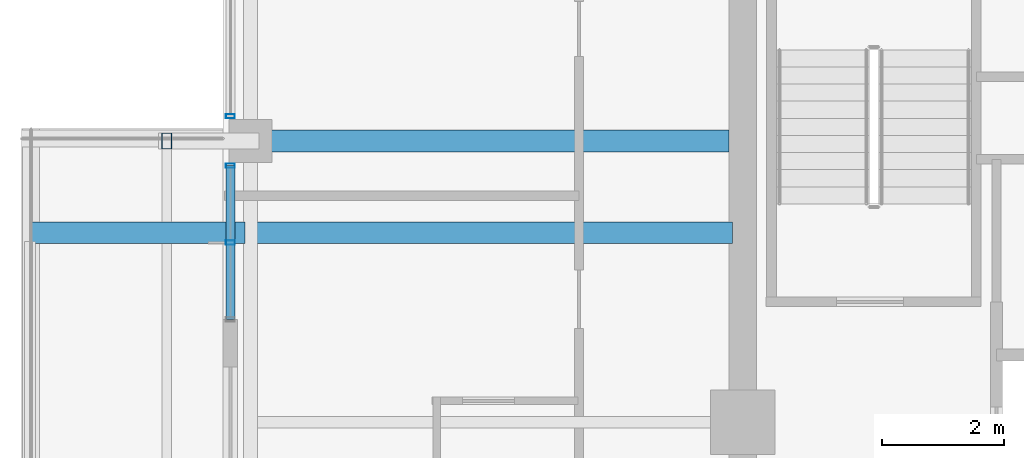
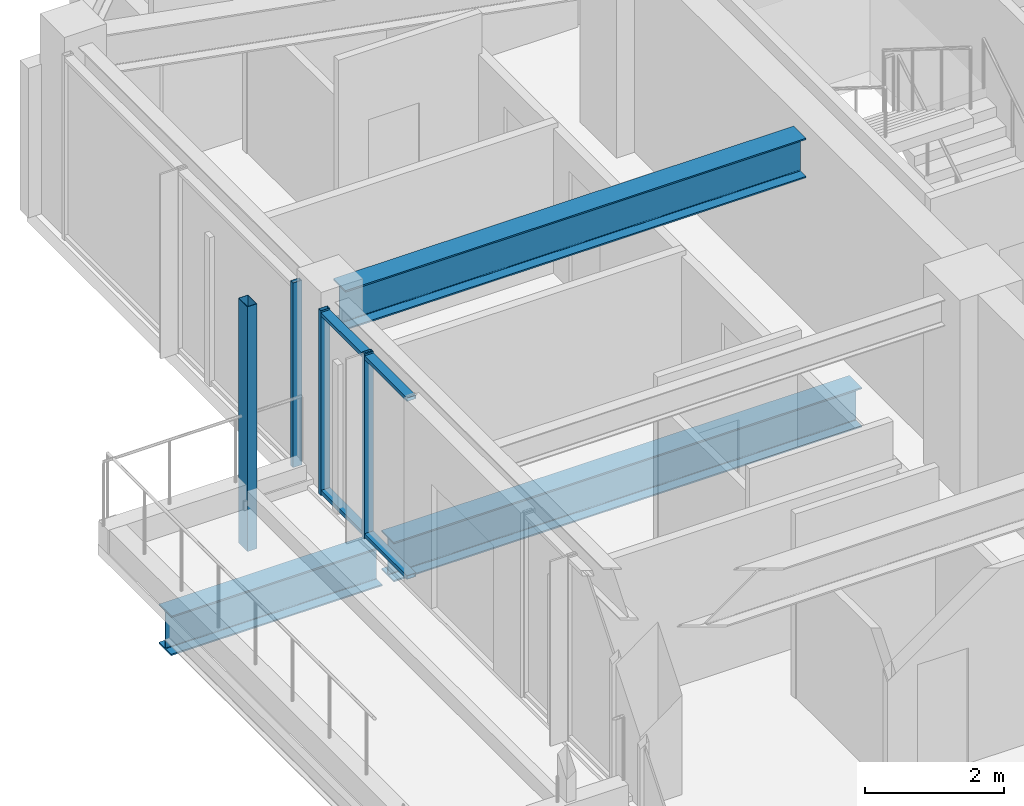
# One storey, part 9 of 34: 6 members, 3 beams, 2 elements without a shape of their own.
"""IFC4 building model written with IfcOpenShell, lengths in metres."""

from ifc_helpers import new_model, si_unit, direction, frame, origin, origin_2d, place, context, subcontext, project, spatial, hollow_rectangle, i_section, extrude, material, material_profile, profile_set, type_object, element, aggregate, save


model = new_model("IFC4")

# Units and contexts
model_context = context("Model", 3, precision=1e-05, world=origin(), true_north=direction((0.0, 1.0)))
body_context = subcontext(model_context, "Body", "Model", "MODEL_VIEW")
ifc_project = project(units=[si_unit("LENGTHUNIT", "METRE"), si_unit("AREAUNIT", "SQUARE_METRE"), si_unit("VOLUMEUNIT", "CUBIC_METRE"), si_unit("PLANEANGLEUNIT", "RADIAN"), si_unit("MASSUNIT", "GRAM", prefix="KILO")], contexts=[model_context])

# Site, building, storey
site_placement = place(None, origin())
site = spatial("IfcSite", under=ifc_project, at=site_placement, CompositionType="ELEMENT")
building_placement = place(site_placement, origin())
building = spatial("IfcBuilding", under=site, at=building_placement, Name="Kolvaren Belvedere", CompositionType="ELEMENT")
storey_placement = place(building_placement, frame((0.0, 0.0, 240.89990234375)))
storey = spatial("IfcBuildingStorey", under=building, at=storey_placement, Name="L70", CompositionType="ELEMENT", Elevation=240.89990234375)

# Beams
ifc_material_1 = material(Name="Structural steel ASTM A992 Grade 50", Category="steel")
ifc_material_profile_1 = material_profile(ifc_material_1, i_section(OverallWidth=0.35498046875, OverallDepth=0.696044921875, WebThickness=0.015380859375, FlangeThickness=0.02490234375, FilletRadius=0.02197265625, at=origin_2d()), Name="W27X146")
ifc_profile_set_1 = profile_set([ifc_material_profile_1], Name="Structural steel ASTM A992 Grade 50")
beam_type_1 = type_object("IfcBeamType", Name="BM-CANT-BAL", PredefinedType="BEAM", material=ifc_profile_set_1)
beam_1_placement = place(storey_placement, frame((-18.044921875, 3.10009765625, -0.597900390625), z_axis=(-1.0, 0.0, 0.0), x_axis=(0.0, -1.0, 0.0)))
element("IfcBeam", 1, at=beam_1_placement, inside=storey, type_object=beam_type_1, Name="L70 Planted Balcony Cantilever SPIRAL-11-W-2", PredefinedType="BEAM", context=body_context, shape_type="SweptSolid", body=[
    extrude(i_section(OverallWidth=0.35498046875, OverallDepth=0.696044921875, WebThickness=0.015380859375, FlangeThickness=0.02490234375, FilletRadius=0.02197265625, at=origin_2d()), origin(), (0.0, 0.0, 1.0), 3.51513671875),
])
ifc_material_2 = material(Name="Structural steel ASTM A992 Grade 50", Category="steel")
ifc_material_profile_2 = material_profile(ifc_material_2, i_section(OverallWidth=0.35498046875, OverallDepth=0.696044921875, WebThickness=0.015380859375, FlangeThickness=0.02490234375, FilletRadius=0.02197265625, at=origin_2d()), Name="W27X146")
ifc_profile_set_2 = profile_set([ifc_material_profile_2], Name="Structural steel ASTM A992 Grade 50")
beam_type_2 = type_object("IfcBeamType", Name="BM-GIRD-W27X146", PredefinedType="BEAM", material=ifc_profile_set_2)
beam_2_placement = place(storey_placement, frame((-10.06494140625, 3.10009765625, -0.597900390625), z_axis=(-1.0, 0.0, 0.0), x_axis=(0.0, -1.0, 0.0)))
element("IfcBeam", 2, at=beam_2_placement, inside=storey, type_object=beam_type_2, Name="L70 Balcony Interior Back-Span Girder SPIRAL-11-W-2", PredefinedType="BEAM", context=body_context, shape_type="SweptSolid", body=[
    extrude(i_section(OverallWidth=0.35498046875, OverallDepth=0.696044921875, WebThickness=0.015380859375, FlangeThickness=0.02490234375, FilletRadius=0.02197265625, at=origin_2d()), origin(), (0.0, 0.0, 1.0), 7.7900390625),
])
beam_3_placement = place(storey_placement, frame((-10.125, 4.60009765625, 2.902099609375), z_axis=(-1.0, 0.0, 0.0), x_axis=(0.0, -1.0, 0.0)))
element("IfcBeam", 3, at=beam_3_placement, inside=storey, type_object=beam_type_2, Name="L70 West Radial Girder P", PredefinedType="BEAM", context=body_context, shape_type="SweptSolid", body=[
    extrude(i_section(OverallWidth=0.35498046875, OverallDepth=0.696044921875, WebThickness=0.015380859375, FlangeThickness=0.02490234375, FilletRadius=0.02197265625, at=origin_2d()), origin(), (0.0, 0.0, 1.0), 7.66748046875),
])

# Curtain wall, members
ifc_material_3 = material(Name="Anodised pale-metal aluminium AA 6063-T6", Category="aluminium")
curtain_wall_type = type_object("IfcCurtainWallType", Name="CW-Z5-HIGH", PredefinedType="NOTDEFINED", material=ifc_material_3)
curtain_wall_1_placement = place(storey_placement, origin())
curtain_wall_1 = element("IfcCurtainWall", 4, at=curtain_wall_1_placement, inside=storey, type_object=curtain_wall_type, Name="L70 Unitised Curtain Wall FCW-L70-W2-B1", PredefinedType="NOTDEFINED")
ifc_material_4 = material(Name="Anodised pale-metal aluminium AA 6063-T6", Category="aluminium")
ifc_material_profile_3 = material_profile(ifc_material_4, hollow_rectangle(XDim=0.070068359375, YDim=0.14990234375, WallThickness=0.004150390625, at=origin_2d()), Name="ALU-MUL-150X70")
ifc_profile_set_3 = profile_set([ifc_material_profile_3], Name="Anodised pale-metal aluminium AA 6063-T6")
member_type_1 = type_object("IfcMemberType", Name="CW-MUL-150", PredefinedType="MULLION", material=ifc_profile_set_3)
member_1_placement = place(storey_placement, frame((-18.280029296875, 2.9375, 0.0), z_axis=(0.0, 0.0, 1.0), x_axis=(0.0, 1.0, 0.0)))
member_1 = element("IfcMember", 5, at=member_1_placement, type_object=member_type_1, Name="FCW-L70-W2-B1 Unitised Mullion 2", PredefinedType="MULLION", context=body_context, shape_type="SweptSolid", body=[
    extrude(hollow_rectangle(XDim=0.070068359375, YDim=0.14990234375, WallThickness=0.004150390625, at=origin_2d()), origin(), (0.0, 0.0, 1.0), 3.25),
])
member_2_placement = place(storey_placement, frame((-18.280029296875, 4.195068359375, 0.0), z_axis=(0.0, 0.0, 1.0), x_axis=(0.0, 1.0, 0.0)))
member_2 = element("IfcMember", 6, at=member_2_placement, type_object=member_type_1, Name="FCW-L70-W2-B1 Unitised Mullion 3", PredefinedType="MULLION", context=body_context, shape_type="SweptSolid", body=[
    extrude(hollow_rectangle(XDim=0.070068359375, YDim=0.14990234375, WallThickness=0.004150390625, at=origin_2d()), origin(), (0.0, 0.0, 1.0), 3.25),
])

# Curtain wall, member
curtain_wall_2_placement = place(storey_placement, origin())
curtain_wall_2 = element("IfcCurtainWall", 7, at=curtain_wall_2_placement, inside=storey, type_object=curtain_wall_type, Name="L70 Unitised Curtain Wall FCW-L70-W2-B2", PredefinedType="NOTDEFINED")
member_3_placement = place(storey_placement, frame((-18.280029296875, 5.0048828125, 0.0), z_axis=(0.0, 0.0, 1.0), x_axis=(0.0, 1.0, 0.0)))
member_3 = element("IfcMember", 8, at=member_3_placement, type_object=member_type_1, Name="FCW-L70-W2-B2 Unitised Mullion 1", PredefinedType="MULLION", context=body_context, shape_type="SweptSolid", body=[
    extrude(hollow_rectangle(XDim=0.070068359375, YDim=0.14990234375, WallThickness=0.004150390625, at=origin_2d()), origin(), (0.0, 0.0, 1.0), 3.25),
])
aggregate(curtain_wall_2, [member_3])

# Member
ifc_material_5 = material(Name="Anodised pale-metal aluminium AA 6063-T6", Category="aluminium")
ifc_material_profile_4 = material_profile(ifc_material_5, hollow_rectangle(XDim=0.06494140625, YDim=0.14990234375, WallThickness=0.00390625, at=origin_2d()), Name="ALU-TRN-150X65")
ifc_profile_set_4 = profile_set([ifc_material_profile_4], Name="Anodised pale-metal aluminium AA 6063-T6")
member_type_2 = type_object("IfcMemberType", Name="CW-TRN-150", PredefinedType="USERDEFINED", material=ifc_profile_set_4)
member_4_placement = place(storey_placement, frame((-18.280029296875, 1.679931640625, 0.06005859375), z_axis=(0.0, 1.0, 0.0), x_axis=(0.0, 0.0, 1.0)))
member_4 = element("IfcMember", 9, at=member_4_placement, type_object=member_type_2, Name="FCW-L70-W2-B1 Sill Transom", ObjectType="TRANSOM", PredefinedType="USERDEFINED", context=body_context, shape_type="SweptSolid", body=[
    extrude(hollow_rectangle(XDim=0.06494140625, YDim=0.14990234375, WallThickness=0.00390625, at=origin_2d()), origin(), (0.0, 0.0, 1.0), 2.51513671875),
])

member_5_placement = place(storey_placement, frame((-18.280029296875, 1.679931640625, 3.190185546875), z_axis=(0.0, 1.0, 0.0), x_axis=(0.0, 0.0, 1.0)))
member_5 = element("IfcMember", 10, at=member_5_placement, type_object=member_type_2, Name="FCW-L70-W2-B1 Head Transom", ObjectType="TRANSOM", PredefinedType="USERDEFINED", context=body_context, shape_type="SweptSolid", body=[
    extrude(hollow_rectangle(XDim=0.06494140625, YDim=0.14990234375, WallThickness=0.00390625, at=origin_2d()), origin(), (0.0, 0.0, 1.0), 2.51513671875),
])

aggregate(curtain_wall_1, [member_1, member_2, member_4, member_5])

ifc_material_6 = material(Name="Anodised pale-metal aluminium AA 6063-T6", Category="aluminium")
ifc_material_profile_5 = material_profile(ifc_material_6, hollow_rectangle(XDim=0.159912109375, YDim=0.260009765625, WallThickness=0.006591796875, at=origin_2d()), Name="ALU-PF-260X160")
ifc_profile_set_5 = profile_set([ifc_material_profile_5], Name="Anodised pale-metal aluminium AA 6063-T6")
member_type_3 = type_object("IfcMemberType", Name="PF-FRAME-260", PredefinedType="USERDEFINED", material=ifc_profile_set_5)
member_6_placement = place(storey_placement, frame((-19.320068359375, 4.60009765625, -0.809814453125), z_axis=(0.0, 0.0, 1.0), x_axis=(1.0, 0.0, 0.0)))
element("IfcMember", 11, at=member_6_placement, inside=storey, type_object=member_type_3, Name="L70 Outboard Picture-Frame Vertical W2", ObjectType="PICTURE FRAME FIN", PredefinedType="USERDEFINED", context=body_context, shape_type="SweptSolid", body=[
    extrude(hollow_rectangle(XDim=0.159912109375, YDim=0.260009765625, WallThickness=0.006591796875, at=origin_2d()), origin(), (0.0, 0.0, 1.0), 4.309814453125),
])

save(model, "model.ifc")
